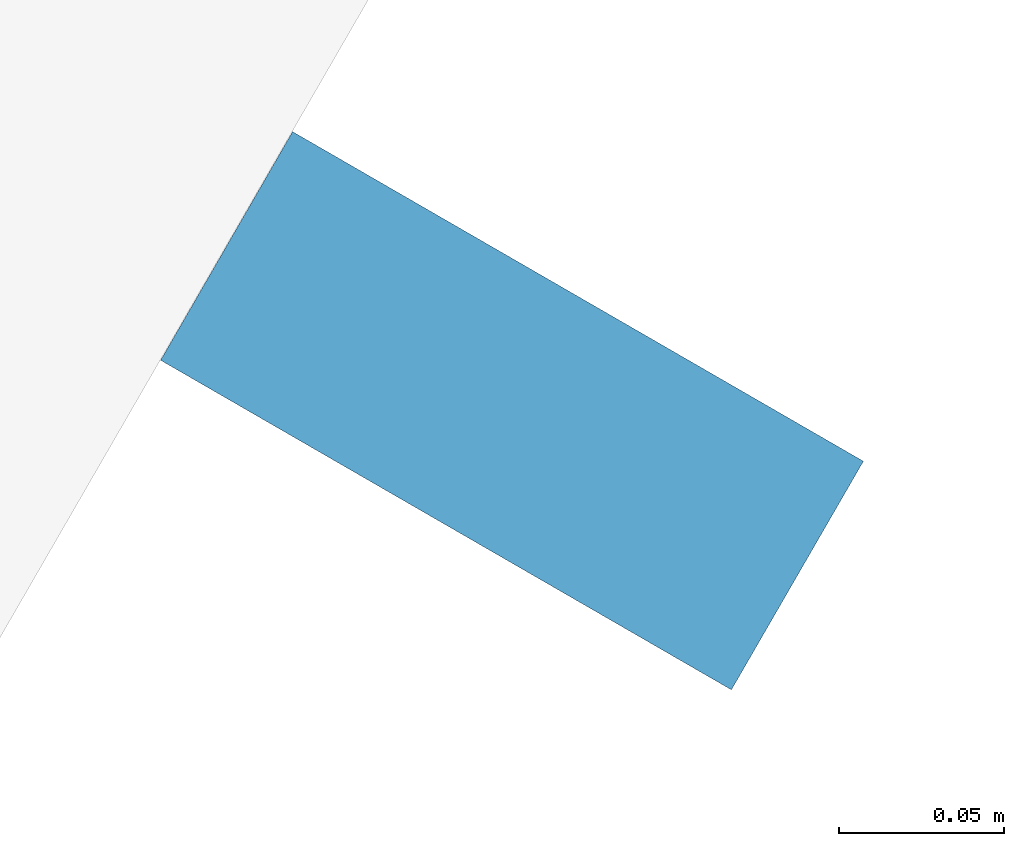
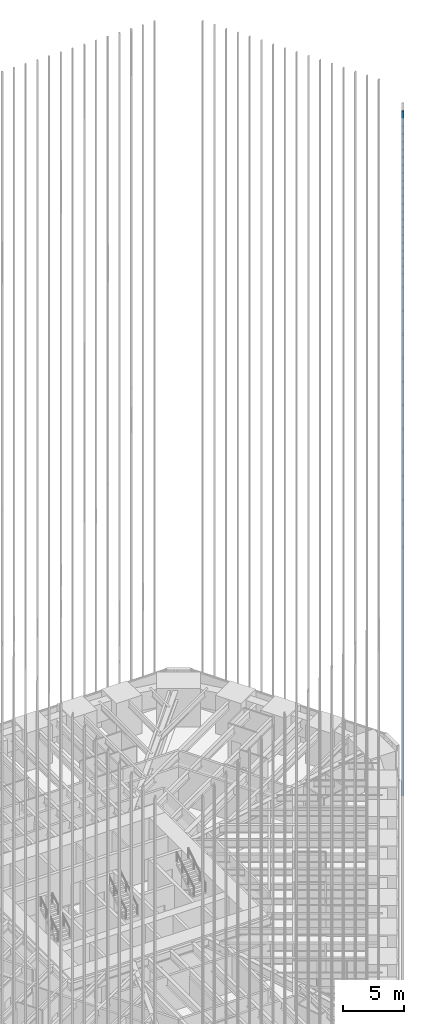
# One storey, part 195 of 256: 1 member, 1 element without a shape of its own.
"""IFC4 building model written with IfcOpenShell, lengths in metres."""

from ifc_helpers import new_model, si_unit, direction, frame, origin, origin_2d, place, context, subcontext, project, spatial, rectangle, extrude, material, material_profile, profile_set, type_object, element, aggregate, save


model = new_model("IFC4")

# Units and contexts
model_context = context("Model", 3, precision=1e-05, world=origin(), true_north=direction((0.0, 1.0)))
body_context = subcontext(model_context, "Body", "Model", "MODEL_VIEW")
ifc_project = project(units=[si_unit("LENGTHUNIT", "METRE"), si_unit("AREAUNIT", "SQUARE_METRE"), si_unit("VOLUMEUNIT", "CUBIC_METRE"), si_unit("PLANEANGLEUNIT", "RADIAN"), si_unit("MASSUNIT", "GRAM", prefix="KILO")], contexts=[model_context])

# Site, building, storey
site_placement = place(None, origin())
site = spatial("IfcSite", under=ifc_project, at=site_placement, CompositionType="ELEMENT")
building_placement = place(site_placement, origin())
building = spatial("IfcBuilding", under=site, at=building_placement, Name="Sandreach Pilgrim Tower", CompositionType="ELEMENT")
storey_placement = place(building_placement, frame((0.0, 0.0, 23.0)))
storey = spatial("IfcBuildingStorey", under=building, at=storey_placement, Name="L04", CompositionType="ELEMENT", Elevation=23.0)

# Curtain wall, member
ifc_material_1 = material(Name="Aluminium framed curtain wall", Category="aluminium")
curtain_wall_type = type_object("IfcCurtainWallType", Name="Hostel tower curtain wall", PredefinedType="NOTDEFINED", material=ifc_material_1)
curtain_wall_placement = place(storey_placement, origin())
curtain_wall = element("IfcCurtainWall", 1, at=curtain_wall_placement, inside=storey, type_object=curtain_wall_type, Name="CW-1 L04 SE", PredefinedType="NOTDEFINED")
ifc_material_2 = material(Name="Extruded terracotta on aluminium core", Category="masonry")
ifc_material_profile = material_profile(ifc_material_2, rectangle(XDim=0.080078125, YDim=0.199951171875, at=origin_2d()), Name="TBE 80X200")
ifc_profile_set = profile_set([ifc_material_profile], Name="Extruded terracotta on aluminium core")
member_type = type_object("IfcMemberType", Name="Terracotta baguette east", PredefinedType="USERDEFINED", material=ifc_profile_set)
member_placement = place(storey_placement, frame((29.932373046875, 3.14697265625, 0.0), z_axis=(0.0, 0.0, 1.0), x_axis=(-0.5, -0.866025403784, 0.0)))
member = element("IfcMember", 2, at=member_placement, type_object=member_type, Name="Baguette Z1 SE02", ObjectType="BAGUETTE", PredefinedType="USERDEFINED", context=body_context, shape_type="SweptSolid", body=[
    extrude(rectangle(XDim=0.080078125, YDim=0.199951171875, at=origin_2d()), origin(), (0.0, 0.0, 1.0), 68.239990234375),
])
aggregate(curtain_wall, [member])

save(model, "model.ifc")
